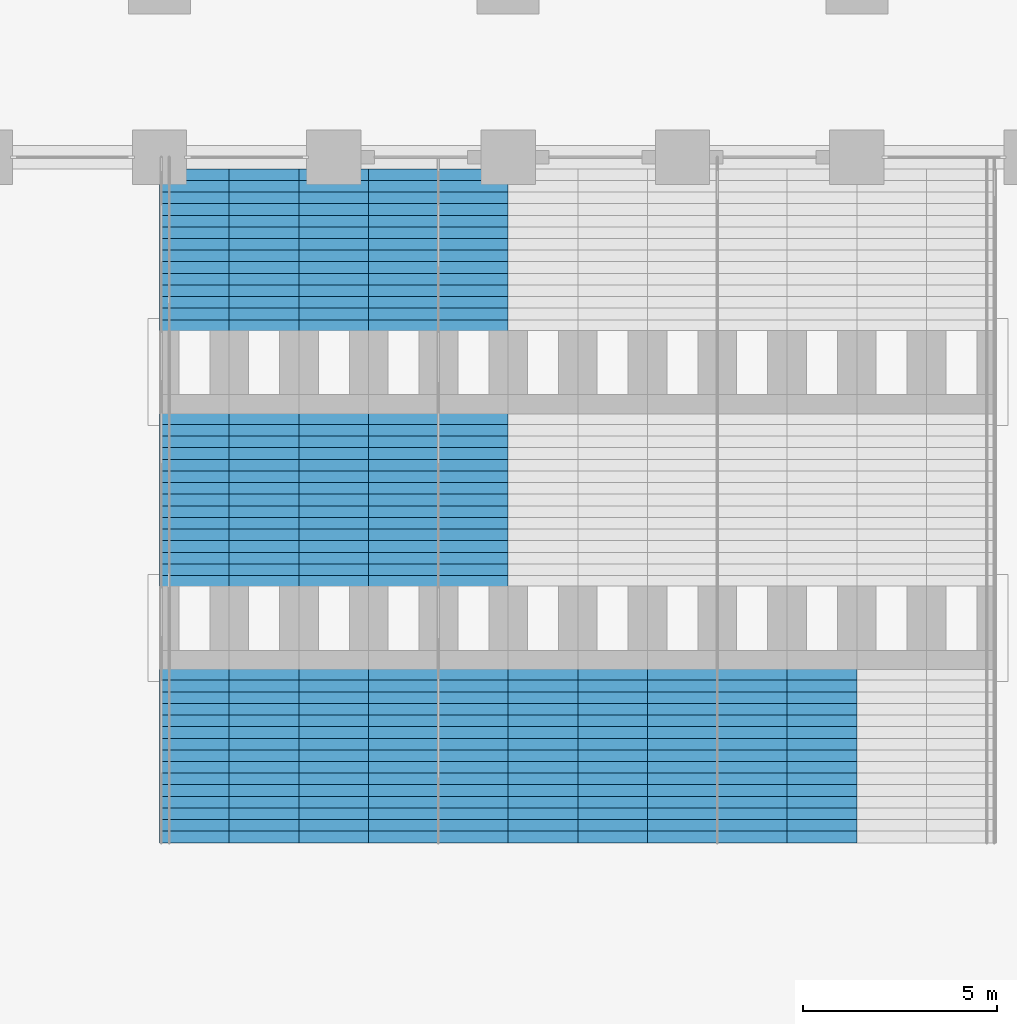
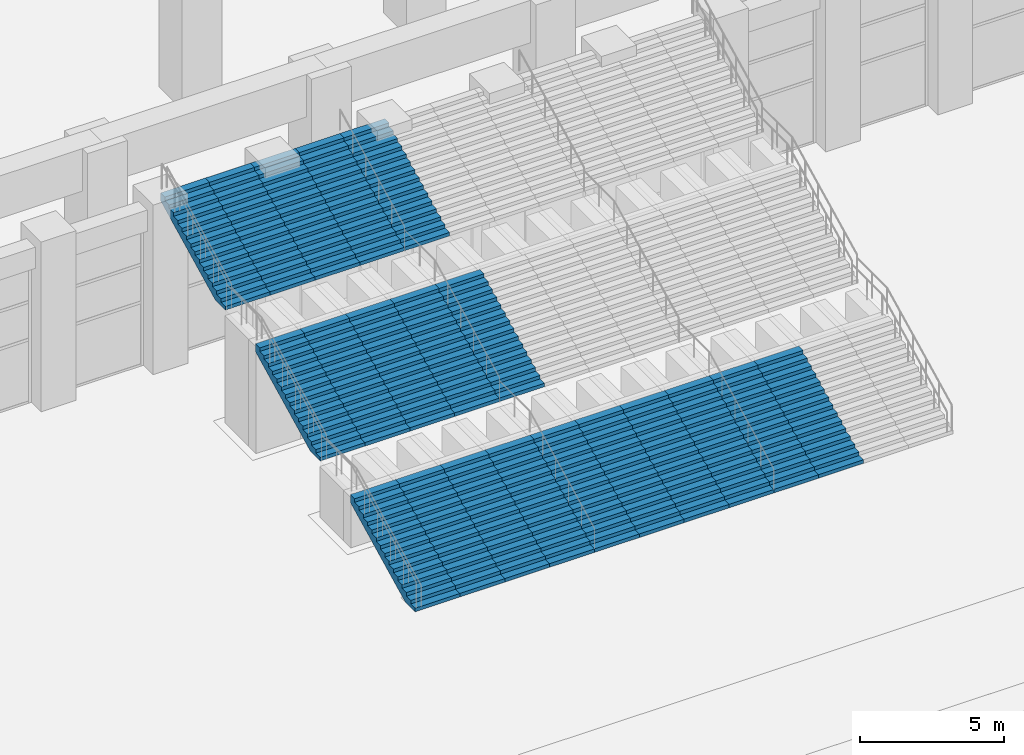
# One storey, part 19 of 30: 20 stair flights, 10 elements without a shape of their own.
"""IFC4 building model written with IfcOpenShell, lengths in metres."""

import ifcopenshell
import ifcopenshell.guid

model = None  # the IFC model being written
_history = None  # IfcOwnerHistory: only IFC2X3 demands one
_inside = {}  # id of a spatial element -> (the spatial element, [elements in it])
_under = {}  # id of a project, library or spatial element -> (it, [spatial elements below it])
_declared = {}  # id of a project -> (the project, [libraries it declares])
_typed = {}  # id of a type object -> (the type object, [elements of that type])
_made_of = {}  # id of a material, layer set ... -> (it, [elements and type objects made of it])


def new_model(schema):
    """Start an empty IFC model of exactly this schema.

    Asked for "IFC4X3", IfcOpenShell would pick the latest addendum, in which some entities
    have other attributes; the version numbers below select the first issue.
    IFC2X3 requires an IfcOwnerHistory on every rooted entity: one is made here for all.
    """
    global model, _history
    if schema == "IFC4X3":
        model = ifcopenshell.file(schema_version=(4, 3, 0, 0))
    else:
        model = ifcopenshell.file(schema=schema)
    _inside.clear()
    _under.clear()
    _declared.clear()
    _typed.clear()
    _made_of.clear()
    _history = None
    if model.schema == "IFC2X3":
        org = make("IfcOrganization", Name="unknown")
        user = make(
            "IfcPersonAndOrganization",
            ThePerson=make("IfcPerson", FamilyName="unknown"),
            TheOrganization=org,
        )
        app = make(
            "IfcApplication",
            ApplicationDeveloper=org,
            Version="unknown",
            ApplicationFullName="unknown",
            ApplicationIdentifier="unknown",
        )
        _history = make(
            "IfcOwnerHistory",
            OwningUser=user,
            OwningApplication=app,
            ChangeAction="ADDED",
            CreationDate=0,
        )
    return model


def make(cls, **values):
    """One entity of the class cls with the attributes given. An attribute that is None is left unset."""
    return model.create_entity(
        cls, **{name: value for name, value in values.items() if value is not None}
    )


def rooted(cls, **values):
    """An entity with a GlobalId (a new one), such as an element, a storey or a relation."""
    return make(cls, GlobalId=ifcopenshell.guid.new(), OwnerHistory=_history, **values)


def si_unit(unit_type, name, prefix=None):
    """IfcSIUnit, for example si_unit("LENGTHUNIT", "METRE", prefix="MILLI")."""
    return make("IfcSIUnit", UnitType=unit_type, Prefix=prefix, Name=name)


def assignment(units):
    """IfcUnitAssignment: the units of a project."""
    return None if units is None else make("IfcUnitAssignment", Units=units)


def point(xyz):
    """IfcCartesianPoint."""
    return None if xyz is None else make("IfcCartesianPoint", Coordinates=xyz)


def direction(xyz):
    """IfcDirection."""
    return None if xyz is None else make("IfcDirection", DirectionRatios=xyz)


def frame(location, z_axis=None, x_axis=None):
    """IfcAxis2Placement3D, a coordinate frame: its origin and axes. An axis left out is left unset."""
    return make(
        "IfcAxis2Placement3D",
        Location=point(location),
        Axis=direction(z_axis),
        RefDirection=direction(x_axis),
    )


def origin():
    """The frame at (0, 0, 0) with its axes left unset."""
    return frame((0.0, 0.0, 0.0))


def place(relative_to, where):
    """IfcLocalPlacement: puts the frame where relative to a parent placement (None: the world)."""
    return make(
        "IfcLocalPlacement", PlacementRelTo=relative_to, RelativePlacement=where
    )


def context(
    kind, dimensions, precision=None, world=None, true_north=None, identifier=None
):
    """IfcGeometricRepresentationContext, for example the 3D "Model" context."""
    return make(
        "IfcGeometricRepresentationContext",
        ContextIdentifier=identifier,
        ContextType=kind,
        CoordinateSpaceDimension=dimensions,
        Precision=precision,
        WorldCoordinateSystem=world,
        TrueNorth=true_north,
    )


def subcontext(parent, identifier, kind, view, scale=None):
    """IfcGeometricRepresentationSubContext, for example "Body" below "Model"."""
    return make(
        "IfcGeometricRepresentationSubContext",
        ContextIdentifier=identifier,
        ContextType=kind,
        ParentContext=parent,
        TargetScale=scale,
        TargetView=view,
    )


def project(units=None, contexts=None):
    """IfcProject with its units and contexts."""
    return rooted(
        "IfcProject",
        Name="project",
        RepresentationContexts=contexts,
        UnitsInContext=assignment(units),
    )


def spatial(cls, under=None, at=None, **own):
    """A site, building, storey or space (cls), placed at a placement, below another one or the project."""
    s = rooted(cls, ObjectPlacement=at, **own)
    if under is not None:
        _under.setdefault(under.id(), (under, []))[1].append(s)
    return s


def polyline(points):
    """IfcPolyline through the points."""
    return make("IfcPolyline", Points=[point(p) for p in points])


def outline(outer, holes=None, kind="AREA"):
    """IfcArbitraryClosedProfileDef: a profile drawn as a closed curve; with holes, ...WithVoids."""
    if holes is None:
        return make("IfcArbitraryClosedProfileDef", ProfileType=kind, OuterCurve=outer)
    return make(
        "IfcArbitraryProfileDefWithVoids",
        ProfileType=kind,
        OuterCurve=outer,
        InnerCurves=holes,
    )


def extrude(swept, where, along, depth):
    """IfcExtrudedAreaSolid: the profile swept, set in the frame where, extruded along a direction by depth."""
    return make(
        "IfcExtrudedAreaSolid",
        SweptArea=swept,
        Position=where,
        ExtrudedDirection=direction(along),
        Depth=depth,
    )


def shape(context_of_items, identifier, shape_type, items):
    """IfcShapeRepresentation: the items that make up one representation, for example the "Body"."""
    return make(
        "IfcShapeRepresentation",
        ContextOfItems=context_of_items,
        RepresentationIdentifier=identifier,
        RepresentationType=shape_type,
        Items=items,
    )


def material(Name=None, Category=None):
    """IfcMaterial."""
    return make("IfcMaterial", Name=Name, Category=Category)


def made_of(thing, what):
    """Note that an element or type object is made of a material, layer set ...; save() writes the relation."""
    if what is not None:
        _made_of.setdefault(what.id(), (what, []))[1].append(thing)
    return thing


def type_object(cls, material=None, **own):
    """A type object (cls), such as IfcWallType, which elements share."""
    return made_of(rooted(cls, **own), material)


def element(
    cls,
    number,
    at=None,
    inside=None,
    cuts=None,
    type_object=None,
    material=None,
    context=None,
    identifier="Body",
    shape_type=None,
    held_by="IfcProductDefinitionShape",
    body=None,
    shapes=None,
    **own,
):
    """One element of the class cls, such as IfcWall. Its Tag is "e" and its number.

    at: its placement. inside: the storey or other place that contains it. cuts: it is an
    opening in that element (IfcRelVoidsElement). A single representation is given by context,
    identifier, shape_type and body (its items); several are given by shapes. held_by: the class
    of the entity that holds the representations. save() writes the other relations.
    """
    e = rooted(cls, Tag="e%d" % number, ObjectPlacement=at, **own)
    if body is not None:
        shapes = [shape(context, identifier, shape_type, body)]
    if shapes is not None:
        e.Representation = make(held_by, Representations=shapes)
    if inside is not None:
        _inside.setdefault(inside.id(), (inside, []))[1].append(e)
    if cuts is not None:
        rooted(
            "IfcRelVoidsElement", RelatingBuildingElement=cuts, RelatedOpeningElement=e
        )
    if type_object is not None:
        _typed.setdefault(type_object.id(), (type_object, []))[1].append(e)
    return made_of(e, material)


def aggregate(whole, parts):
    """IfcRelAggregates: a whole, such as a stair, and the parts it consists of."""
    return rooted("IfcRelAggregates", RelatingObject=whole, RelatedObjects=parts)


def save(model, path):
    """Write the relations noted so far, then the file.

    IfcRelAggregates (storeys below a building ...), IfcRelContainedInSpatialStructure (elements
    in a storey), IfcRelDefinesByType, IfcRelAssociatesMaterial and IfcRelDeclares: one each for
    every whole, place, type object, material and project.
    """
    for whole, parts in _under.values():
        aggregate(whole, parts)
    for where, things in _inside.values():
        rooted(
            "IfcRelContainedInSpatialStructure",
            RelatedElements=things,
            RelatingStructure=where,
        )
    for kind, things in _typed.values():
        rooted("IfcRelDefinesByType", RelatedObjects=things, RelatingType=kind)
    for what, things in _made_of.values():
        rooted("IfcRelAssociatesMaterial", RelatedObjects=things, RelatingMaterial=what)
    for by, libraries in _declared.values():
        rooted("IfcRelDeclares", RelatingContext=by, RelatedDefinitions=libraries)
    model.write(path)


model = new_model("IFC4")

# Units and contexts
model_context = context("Model", 3, precision=1e-05, world=origin(), true_north=direction((0.0, 1.0)))
body_context = subcontext(model_context, "Body", "Model", "MODEL_VIEW")
ifc_project = project(units=[si_unit("LENGTHUNIT", "METRE"), si_unit("AREAUNIT", "SQUARE_METRE"), si_unit("VOLUMEUNIT", "CUBIC_METRE"), si_unit("PLANEANGLEUNIT", "RADIAN"), si_unit("MASSUNIT", "GRAM", prefix="KILO")], contexts=[model_context])

# Site, building, storey
site_placement = place(None, origin())
site = spatial("IfcSite", under=ifc_project, at=site_placement, CompositionType="ELEMENT")
building_placement = place(site_placement, origin())
building = spatial("IfcBuilding", under=site, at=building_placement, Name="Corbel Stack Research Tower", CompositionType="ELEMENT")
storey_placement = place(building_placement, origin())
storey = spatial("IfcBuildingStorey", under=building, at=storey_placement, Name="L00", CompositionType="ELEMENT", Elevation=0.0)

# Stair, stair flights
ifc_material_1 = material(Name="Concrete C40/50", Category="concrete")
stair_type = type_object("IfcStairType", Name="SST1 garden stair", PredefinedType="STRAIGHT_RUN_STAIR", material=ifc_material_1)
stair_1_placement = place(storey_placement, origin())
stair_1 = element("IfcStair", 1, at=stair_1_placement, inside=storey, type_object=stair_type, Name="Garden stair GS1", PredefinedType="STRAIGHT_RUN_STAIR")
ifc_material_2 = material(Name="Concrete C40/50", Category="concrete")
stair_flight_type = type_object("IfcStairFlightType", Name="SST2 garden stair flight", PredefinedType="STRAIGHT", material=ifc_material_2)
stair_flight_1_placement = place(storey_placement, frame((-8.10009765625, -49.199951171875, 0.0), z_axis=(0.0, 0.0, 1.0), x_axis=(0.0, 1.0, 0.0)))
stair_flight_1 = element("IfcStairFlight", 2, at=stair_flight_1_placement, type_object=stair_flight_type, Name="GS1 flight 1", NumberOfRisers=16, NumberOfTreads=15, PredefinedType="STRAIGHT", RiserHeight=0.15, TreadLength=0.3, context=body_context, shape_type="SweptSolid", body=[
    extrude(outline(polyline([(0.0, 0.0), (0.0, 0.14990234375), (0.300048828125, 0.14990234375), (0.300048828125, 0.300048828125), (0.60009765625, 0.300048828125), (0.60009765625, 0.449951171875), (0.89990234375, 0.449951171875), (0.89990234375, 0.60009765625), (1.199951171875, 0.60009765625), (1.199951171875, 0.75), (1.5, 0.75), (1.5, 0.89990234375), (1.800048828125, 0.89990234375), (1.800048828125, 1.050048828125), (2.10009765625, 1.050048828125), (2.10009765625, 1.199951171875), (2.39990234375, 1.199951171875), (2.39990234375, 1.35009765625), (2.699951171875, 1.35009765625), (2.699951171875, 1.5), (3.0, 1.5), (3.0, 1.64990234375), (3.300048828125, 1.64990234375), (3.300048828125, 1.800048828125), (3.60009765625, 1.800048828125), (3.60009765625, 1.949951171875), (3.89990234375, 1.949951171875), (3.89990234375, 2.10009765625), (4.199951171875, 2.10009765625), (4.199951171875, 2.25), (4.5, 2.25), (4.5, 2.39990234375), (4.5, 1.91455078125), (0.6708984375, 0.0), (0.0, 0.0)])), frame((0.0, 0.89990234375, 0.0), z_axis=(0.0, -1.0, 0.0), x_axis=(1.0, 0.0, 0.0)), (0.0, 0.0, 1.0), 1.800048828125),
])
stair_flight_2_placement = place(storey_placement, frame((-8.10009765625, -42.60009765625, 2.39990234375), z_axis=(0.0, 0.0, 1.0), x_axis=(0.0, 1.0, 0.0)))
stair_flight_2 = element("IfcStairFlight", 3, at=stair_flight_2_placement, type_object=stair_flight_type, Name="GS1 flight 2", NumberOfRisers=16, NumberOfTreads=15, PredefinedType="STRAIGHT", RiserHeight=0.15, TreadLength=0.3, context=body_context, shape_type="SweptSolid", body=[
    extrude(outline(polyline([(0.0, 0.0), (0.0, 0.14990234375), (0.300048828125, 0.14990234375), (0.300048828125, 0.300048828125), (0.60009765625, 0.300048828125), (0.60009765625, 0.449951171875), (0.89990234375, 0.449951171875), (0.89990234375, 0.60009765625), (1.199951171875, 0.60009765625), (1.199951171875, 0.75), (1.5, 0.75), (1.5, 0.89990234375), (1.800048828125, 0.89990234375), (1.800048828125, 1.050048828125), (2.10009765625, 1.050048828125), (2.10009765625, 1.199951171875), (2.39990234375, 1.199951171875), (2.39990234375, 1.35009765625), (2.699951171875, 1.35009765625), (2.699951171875, 1.5), (3.0, 1.5), (3.0, 1.64990234375), (3.300048828125, 1.64990234375), (3.300048828125, 1.800048828125), (3.60009765625, 1.800048828125), (3.60009765625, 1.949951171875), (3.89990234375, 1.949951171875), (3.89990234375, 2.10009765625), (4.199951171875, 2.10009765625), (4.199951171875, 2.25), (4.5, 2.25), (4.5, 2.39990234375), (4.5, 1.91455078125), (0.6708984375, 0.0), (0.0, 0.0)])), frame((0.0, 0.89990234375, 0.0), z_axis=(0.0, -1.0, 0.0), x_axis=(1.0, 0.0, 0.0)), (0.0, 0.0, 1.0), 1.800048828125),
])
stair_flight_3_placement = place(storey_placement, frame((-8.10009765625, -36.0, 4.800048828125), z_axis=(0.0, 0.0, 1.0), x_axis=(0.0, 1.0, 0.0)))
stair_flight_3 = element("IfcStairFlight", 4, at=stair_flight_3_placement, type_object=stair_flight_type, Name="GS1 flight 3", NumberOfRisers=16, NumberOfTreads=15, PredefinedType="STRAIGHT", RiserHeight=0.15, TreadLength=0.3, context=body_context, shape_type="SweptSolid", body=[
    extrude(outline(polyline([(0.0, 0.0), (0.0, 0.14990234375), (0.300048828125, 0.14990234375), (0.300048828125, 0.300048828125), (0.60009765625, 0.300048828125), (0.60009765625, 0.449951171875), (0.89990234375, 0.449951171875), (0.89990234375, 0.60009765625), (1.199951171875, 0.60009765625), (1.199951171875, 0.75), (1.5, 0.75), (1.5, 0.89990234375), (1.800048828125, 0.89990234375), (1.800048828125, 1.050048828125), (2.10009765625, 1.050048828125), (2.10009765625, 1.199951171875), (2.39990234375, 1.199951171875), (2.39990234375, 1.35009765625), (2.699951171875, 1.35009765625), (2.699951171875, 1.5), (3.0, 1.5), (3.0, 1.64990234375), (3.300048828125, 1.64990234375), (3.300048828125, 1.800048828125), (3.60009765625, 1.800048828125), (3.60009765625, 1.949951171875), (3.89990234375, 1.949951171875), (3.89990234375, 2.10009765625), (4.199951171875, 2.10009765625), (4.199951171875, 2.25), (4.5, 2.25), (4.5, 2.39990234375), (4.5, 1.91455078125), (0.6708984375, 0.0), (0.0, 0.0)])), frame((0.0, 0.89990234375, 0.0), z_axis=(0.0, -1.0, 0.0), x_axis=(1.0, 0.0, 0.0)), (0.0, 0.0, 1.0), 1.800048828125),
])
aggregate(stair_1, [stair_flight_1, stair_flight_2, stair_flight_3])

stair_2_placement = place(storey_placement, origin())
stair_2 = element("IfcStair", 5, at=stair_2_placement, inside=storey, type_object=stair_type, Name="Garden stair GS2", PredefinedType="STRAIGHT_RUN_STAIR")
stair_flight_4_placement = place(storey_placement, frame((-6.300048828125, -49.199951171875, 0.0), z_axis=(0.0, 0.0, 1.0), x_axis=(0.0, 1.0, 0.0)))
stair_flight_4 = element("IfcStairFlight", 6, at=stair_flight_4_placement, type_object=stair_flight_type, Name="GS2 flight 1", NumberOfRisers=16, NumberOfTreads=15, PredefinedType="STRAIGHT", RiserHeight=0.15, TreadLength=0.3, context=body_context, shape_type="SweptSolid", body=[
    extrude(outline(polyline([(0.0, 0.0), (0.0, 0.14990234375), (0.300048828125, 0.14990234375), (0.300048828125, 0.300048828125), (0.60009765625, 0.300048828125), (0.60009765625, 0.449951171875), (0.89990234375, 0.449951171875), (0.89990234375, 0.60009765625), (1.199951171875, 0.60009765625), (1.199951171875, 0.75), (1.5, 0.75), (1.5, 0.89990234375), (1.800048828125, 0.89990234375), (1.800048828125, 1.050048828125), (2.10009765625, 1.050048828125), (2.10009765625, 1.199951171875), (2.39990234375, 1.199951171875), (2.39990234375, 1.35009765625), (2.699951171875, 1.35009765625), (2.699951171875, 1.5), (3.0, 1.5), (3.0, 1.64990234375), (3.300048828125, 1.64990234375), (3.300048828125, 1.800048828125), (3.60009765625, 1.800048828125), (3.60009765625, 1.949951171875), (3.89990234375, 1.949951171875), (3.89990234375, 2.10009765625), (4.199951171875, 2.10009765625), (4.199951171875, 2.25), (4.5, 2.25), (4.5, 2.39990234375), (4.5, 1.91455078125), (0.6708984375, 0.0), (0.0, 0.0)])), frame((0.0, 0.89990234375, 0.0), z_axis=(0.0, -1.0, 0.0), x_axis=(1.0, 0.0, 0.0)), (0.0, 0.0, 1.0), 1.800048828125),
])
stair_flight_5_placement = place(storey_placement, frame((-6.300048828125, -42.60009765625, 2.39990234375), z_axis=(0.0, 0.0, 1.0), x_axis=(0.0, 1.0, 0.0)))
stair_flight_5 = element("IfcStairFlight", 7, at=stair_flight_5_placement, type_object=stair_flight_type, Name="GS2 flight 2", NumberOfRisers=16, NumberOfTreads=15, PredefinedType="STRAIGHT", RiserHeight=0.15, TreadLength=0.3, context=body_context, shape_type="SweptSolid", body=[
    extrude(outline(polyline([(0.0, 0.0), (0.0, 0.14990234375), (0.300048828125, 0.14990234375), (0.300048828125, 0.300048828125), (0.60009765625, 0.300048828125), (0.60009765625, 0.449951171875), (0.89990234375, 0.449951171875), (0.89990234375, 0.60009765625), (1.199951171875, 0.60009765625), (1.199951171875, 0.75), (1.5, 0.75), (1.5, 0.89990234375), (1.800048828125, 0.89990234375), (1.800048828125, 1.050048828125), (2.10009765625, 1.050048828125), (2.10009765625, 1.199951171875), (2.39990234375, 1.199951171875), (2.39990234375, 1.35009765625), (2.699951171875, 1.35009765625), (2.699951171875, 1.5), (3.0, 1.5), (3.0, 1.64990234375), (3.300048828125, 1.64990234375), (3.300048828125, 1.800048828125), (3.60009765625, 1.800048828125), (3.60009765625, 1.949951171875), (3.89990234375, 1.949951171875), (3.89990234375, 2.10009765625), (4.199951171875, 2.10009765625), (4.199951171875, 2.25), (4.5, 2.25), (4.5, 2.39990234375), (4.5, 1.91455078125), (0.6708984375, 0.0), (0.0, 0.0)])), frame((0.0, 0.89990234375, 0.0), z_axis=(0.0, -1.0, 0.0), x_axis=(1.0, 0.0, 0.0)), (0.0, 0.0, 1.0), 1.800048828125),
])
stair_flight_6_placement = place(storey_placement, frame((-6.300048828125, -36.0, 4.800048828125), z_axis=(0.0, 0.0, 1.0), x_axis=(0.0, 1.0, 0.0)))
stair_flight_6 = element("IfcStairFlight", 8, at=stair_flight_6_placement, type_object=stair_flight_type, Name="GS2 flight 3", NumberOfRisers=16, NumberOfTreads=15, PredefinedType="STRAIGHT", RiserHeight=0.15, TreadLength=0.3, context=body_context, shape_type="SweptSolid", body=[
    extrude(outline(polyline([(0.0, 0.0), (0.0, 0.14990234375), (0.300048828125, 0.14990234375), (0.300048828125, 0.300048828125), (0.60009765625, 0.300048828125), (0.60009765625, 0.449951171875), (0.89990234375, 0.449951171875), (0.89990234375, 0.60009765625), (1.199951171875, 0.60009765625), (1.199951171875, 0.75), (1.5, 0.75), (1.5, 0.89990234375), (1.800048828125, 0.89990234375), (1.800048828125, 1.050048828125), (2.10009765625, 1.050048828125), (2.10009765625, 1.199951171875), (2.39990234375, 1.199951171875), (2.39990234375, 1.35009765625), (2.699951171875, 1.35009765625), (2.699951171875, 1.5), (3.0, 1.5), (3.0, 1.64990234375), (3.300048828125, 1.64990234375), (3.300048828125, 1.800048828125), (3.60009765625, 1.800048828125), (3.60009765625, 1.949951171875), (3.89990234375, 1.949951171875), (3.89990234375, 2.10009765625), (4.199951171875, 2.10009765625), (4.199951171875, 2.25), (4.5, 2.25), (4.5, 2.39990234375), (4.5, 1.91455078125), (0.6708984375, 0.0), (0.0, 0.0)])), frame((0.0, 0.89990234375, 0.0), z_axis=(0.0, -1.0, 0.0), x_axis=(1.0, 0.0, 0.0)), (0.0, 0.0, 1.0), 1.800048828125),
])
aggregate(stair_2, [stair_flight_4, stair_flight_5, stair_flight_6])

stair_3_placement = place(storey_placement, origin())
stair_3 = element("IfcStair", 9, at=stair_3_placement, inside=storey, type_object=stair_type, Name="Garden stair GS3", PredefinedType="STRAIGHT_RUN_STAIR")
stair_flight_7_placement = place(storey_placement, frame((-4.5, -49.199951171875, 0.0), z_axis=(0.0, 0.0, 1.0), x_axis=(0.0, 1.0, 0.0)))
stair_flight_7 = element("IfcStairFlight", 10, at=stair_flight_7_placement, type_object=stair_flight_type, Name="GS3 flight 1", NumberOfRisers=16, NumberOfTreads=15, PredefinedType="STRAIGHT", RiserHeight=0.15, TreadLength=0.3, context=body_context, shape_type="SweptSolid", body=[
    extrude(outline(polyline([(0.0, 0.0), (0.0, 0.14990234375), (0.300048828125, 0.14990234375), (0.300048828125, 0.300048828125), (0.60009765625, 0.300048828125), (0.60009765625, 0.449951171875), (0.89990234375, 0.449951171875), (0.89990234375, 0.60009765625), (1.199951171875, 0.60009765625), (1.199951171875, 0.75), (1.5, 0.75), (1.5, 0.89990234375), (1.800048828125, 0.89990234375), (1.800048828125, 1.050048828125), (2.10009765625, 1.050048828125), (2.10009765625, 1.199951171875), (2.39990234375, 1.199951171875), (2.39990234375, 1.35009765625), (2.699951171875, 1.35009765625), (2.699951171875, 1.5), (3.0, 1.5), (3.0, 1.64990234375), (3.300048828125, 1.64990234375), (3.300048828125, 1.800048828125), (3.60009765625, 1.800048828125), (3.60009765625, 1.949951171875), (3.89990234375, 1.949951171875), (3.89990234375, 2.10009765625), (4.199951171875, 2.10009765625), (4.199951171875, 2.25), (4.5, 2.25), (4.5, 2.39990234375), (4.5, 1.91455078125), (0.6708984375, 0.0), (0.0, 0.0)])), frame((0.0, 0.89990234375, 0.0), z_axis=(0.0, -1.0, 0.0), x_axis=(1.0, 0.0, 0.0)), (0.0, 0.0, 1.0), 1.800048828125),
])
stair_flight_8_placement = place(storey_placement, frame((-4.5, -42.60009765625, 2.39990234375), z_axis=(0.0, 0.0, 1.0), x_axis=(0.0, 1.0, 0.0)))
stair_flight_8 = element("IfcStairFlight", 11, at=stair_flight_8_placement, type_object=stair_flight_type, Name="GS3 flight 2", NumberOfRisers=16, NumberOfTreads=15, PredefinedType="STRAIGHT", RiserHeight=0.15, TreadLength=0.3, context=body_context, shape_type="SweptSolid", body=[
    extrude(outline(polyline([(0.0, 0.0), (0.0, 0.14990234375), (0.300048828125, 0.14990234375), (0.300048828125, 0.300048828125), (0.60009765625, 0.300048828125), (0.60009765625, 0.449951171875), (0.89990234375, 0.449951171875), (0.89990234375, 0.60009765625), (1.199951171875, 0.60009765625), (1.199951171875, 0.75), (1.5, 0.75), (1.5, 0.89990234375), (1.800048828125, 0.89990234375), (1.800048828125, 1.050048828125), (2.10009765625, 1.050048828125), (2.10009765625, 1.199951171875), (2.39990234375, 1.199951171875), (2.39990234375, 1.35009765625), (2.699951171875, 1.35009765625), (2.699951171875, 1.5), (3.0, 1.5), (3.0, 1.64990234375), (3.300048828125, 1.64990234375), (3.300048828125, 1.800048828125), (3.60009765625, 1.800048828125), (3.60009765625, 1.949951171875), (3.89990234375, 1.949951171875), (3.89990234375, 2.10009765625), (4.199951171875, 2.10009765625), (4.199951171875, 2.25), (4.5, 2.25), (4.5, 2.39990234375), (4.5, 1.91455078125), (0.6708984375, 0.0), (0.0, 0.0)])), frame((0.0, 0.89990234375, 0.0), z_axis=(0.0, -1.0, 0.0), x_axis=(1.0, 0.0, 0.0)), (0.0, 0.0, 1.0), 1.800048828125),
])
stair_flight_9_placement = place(storey_placement, frame((-4.5, -36.0, 4.800048828125), z_axis=(0.0, 0.0, 1.0), x_axis=(0.0, 1.0, 0.0)))
stair_flight_9 = element("IfcStairFlight", 12, at=stair_flight_9_placement, type_object=stair_flight_type, Name="GS3 flight 3", NumberOfRisers=16, NumberOfTreads=15, PredefinedType="STRAIGHT", RiserHeight=0.15, TreadLength=0.3, context=body_context, shape_type="SweptSolid", body=[
    extrude(outline(polyline([(0.0, 0.0), (0.0, 0.14990234375), (0.300048828125, 0.14990234375), (0.300048828125, 0.300048828125), (0.60009765625, 0.300048828125), (0.60009765625, 0.449951171875), (0.89990234375, 0.449951171875), (0.89990234375, 0.60009765625), (1.199951171875, 0.60009765625), (1.199951171875, 0.75), (1.5, 0.75), (1.5, 0.89990234375), (1.800048828125, 0.89990234375), (1.800048828125, 1.050048828125), (2.10009765625, 1.050048828125), (2.10009765625, 1.199951171875), (2.39990234375, 1.199951171875), (2.39990234375, 1.35009765625), (2.699951171875, 1.35009765625), (2.699951171875, 1.5), (3.0, 1.5), (3.0, 1.64990234375), (3.300048828125, 1.64990234375), (3.300048828125, 1.800048828125), (3.60009765625, 1.800048828125), (3.60009765625, 1.949951171875), (3.89990234375, 1.949951171875), (3.89990234375, 2.10009765625), (4.199951171875, 2.10009765625), (4.199951171875, 2.25), (4.5, 2.25), (4.5, 2.39990234375), (4.5, 1.91455078125), (0.6708984375, 0.0), (0.0, 0.0)])), frame((0.0, 0.89990234375, 0.0), z_axis=(0.0, -1.0, 0.0), x_axis=(1.0, 0.0, 0.0)), (0.0, 0.0, 1.0), 1.800048828125),
])
aggregate(stair_3, [stair_flight_7, stair_flight_8, stair_flight_9])

stair_4_placement = place(storey_placement, origin())
stair_4 = element("IfcStair", 13, at=stair_4_placement, inside=storey, type_object=stair_type, Name="Garden stair GS4", PredefinedType="STRAIGHT_RUN_STAIR")
stair_flight_10_placement = place(storey_placement, frame((-2.699951171875, -49.199951171875, 0.0), z_axis=(0.0, 0.0, 1.0), x_axis=(0.0, 1.0, 0.0)))
stair_flight_10 = element("IfcStairFlight", 14, at=stair_flight_10_placement, type_object=stair_flight_type, Name="GS4 flight 1", NumberOfRisers=16, NumberOfTreads=15, PredefinedType="STRAIGHT", RiserHeight=0.15, TreadLength=0.3, context=body_context, shape_type="SweptSolid", body=[
    extrude(outline(polyline([(0.0, 0.0), (0.0, 0.14990234375), (0.300048828125, 0.14990234375), (0.300048828125, 0.300048828125), (0.60009765625, 0.300048828125), (0.60009765625, 0.449951171875), (0.89990234375, 0.449951171875), (0.89990234375, 0.60009765625), (1.199951171875, 0.60009765625), (1.199951171875, 0.75), (1.5, 0.75), (1.5, 0.89990234375), (1.800048828125, 0.89990234375), (1.800048828125, 1.050048828125), (2.10009765625, 1.050048828125), (2.10009765625, 1.199951171875), (2.39990234375, 1.199951171875), (2.39990234375, 1.35009765625), (2.699951171875, 1.35009765625), (2.699951171875, 1.5), (3.0, 1.5), (3.0, 1.64990234375), (3.300048828125, 1.64990234375), (3.300048828125, 1.800048828125), (3.60009765625, 1.800048828125), (3.60009765625, 1.949951171875), (3.89990234375, 1.949951171875), (3.89990234375, 2.10009765625), (4.199951171875, 2.10009765625), (4.199951171875, 2.25), (4.5, 2.25), (4.5, 2.39990234375), (4.5, 1.91455078125), (0.6708984375, 0.0), (0.0, 0.0)])), frame((0.0, 0.89990234375, 0.0), z_axis=(0.0, -1.0, 0.0), x_axis=(1.0, 0.0, 0.0)), (0.0, 0.0, 1.0), 1.800048828125),
])
stair_flight_11_placement = place(storey_placement, frame((-2.699951171875, -42.60009765625, 2.39990234375), z_axis=(0.0, 0.0, 1.0), x_axis=(0.0, 1.0, 0.0)))
stair_flight_11 = element("IfcStairFlight", 15, at=stair_flight_11_placement, type_object=stair_flight_type, Name="GS4 flight 2", NumberOfRisers=16, NumberOfTreads=15, PredefinedType="STRAIGHT", RiserHeight=0.15, TreadLength=0.3, context=body_context, shape_type="SweptSolid", body=[
    extrude(outline(polyline([(0.0, 0.0), (0.0, 0.14990234375), (0.300048828125, 0.14990234375), (0.300048828125, 0.300048828125), (0.60009765625, 0.300048828125), (0.60009765625, 0.449951171875), (0.89990234375, 0.449951171875), (0.89990234375, 0.60009765625), (1.199951171875, 0.60009765625), (1.199951171875, 0.75), (1.5, 0.75), (1.5, 0.89990234375), (1.800048828125, 0.89990234375), (1.800048828125, 1.050048828125), (2.10009765625, 1.050048828125), (2.10009765625, 1.199951171875), (2.39990234375, 1.199951171875), (2.39990234375, 1.35009765625), (2.699951171875, 1.35009765625), (2.699951171875, 1.5), (3.0, 1.5), (3.0, 1.64990234375), (3.300048828125, 1.64990234375), (3.300048828125, 1.800048828125), (3.60009765625, 1.800048828125), (3.60009765625, 1.949951171875), (3.89990234375, 1.949951171875), (3.89990234375, 2.10009765625), (4.199951171875, 2.10009765625), (4.199951171875, 2.25), (4.5, 2.25), (4.5, 2.39990234375), (4.5, 1.91455078125), (0.6708984375, 0.0), (0.0, 0.0)])), frame((0.0, 0.89990234375, 0.0), z_axis=(0.0, -1.0, 0.0), x_axis=(1.0, 0.0, 0.0)), (0.0, 0.0, 1.0), 1.800048828125),
])
stair_flight_12_placement = place(storey_placement, frame((-2.699951171875, -36.0, 4.800048828125), z_axis=(0.0, 0.0, 1.0), x_axis=(0.0, 1.0, 0.0)))
stair_flight_12 = element("IfcStairFlight", 16, at=stair_flight_12_placement, type_object=stair_flight_type, Name="GS4 flight 3", NumberOfRisers=16, NumberOfTreads=15, PredefinedType="STRAIGHT", RiserHeight=0.15, TreadLength=0.3, context=body_context, shape_type="SweptSolid", body=[
    extrude(outline(polyline([(0.0, 0.0), (0.0, 0.14990234375), (0.300048828125, 0.14990234375), (0.300048828125, 0.300048828125), (0.60009765625, 0.300048828125), (0.60009765625, 0.449951171875), (0.89990234375, 0.449951171875), (0.89990234375, 0.60009765625), (1.199951171875, 0.60009765625), (1.199951171875, 0.75), (1.5, 0.75), (1.5, 0.89990234375), (1.800048828125, 0.89990234375), (1.800048828125, 1.050048828125), (2.10009765625, 1.050048828125), (2.10009765625, 1.199951171875), (2.39990234375, 1.199951171875), (2.39990234375, 1.35009765625), (2.699951171875, 1.35009765625), (2.699951171875, 1.5), (3.0, 1.5), (3.0, 1.64990234375), (3.300048828125, 1.64990234375), (3.300048828125, 1.800048828125), (3.60009765625, 1.800048828125), (3.60009765625, 1.949951171875), (3.89990234375, 1.949951171875), (3.89990234375, 2.10009765625), (4.199951171875, 2.10009765625), (4.199951171875, 2.25), (4.5, 2.25), (4.5, 2.39990234375), (4.5, 1.91455078125), (0.6708984375, 0.0), (0.0, 0.0)])), frame((0.0, 0.89990234375, 0.0), z_axis=(0.0, -1.0, 0.0), x_axis=(1.0, 0.0, 0.0)), (0.0, 0.0, 1.0), 1.800048828125),
])
aggregate(stair_4, [stair_flight_10, stair_flight_11, stair_flight_12])

stair_5_placement = place(storey_placement, origin())
stair_5 = element("IfcStair", 17, at=stair_5_placement, inside=storey, type_object=stair_type, Name="Garden stair GS5", PredefinedType="STRAIGHT_RUN_STAIR")
stair_flight_13_placement = place(storey_placement, frame((-0.89990234375, -49.199951171875, 0.0), z_axis=(0.0, 0.0, 1.0), x_axis=(0.0, 1.0, 0.0)))
stair_flight_13 = element("IfcStairFlight", 18, at=stair_flight_13_placement, type_object=stair_flight_type, Name="GS5 flight 1", NumberOfRisers=16, NumberOfTreads=15, PredefinedType="STRAIGHT", RiserHeight=0.15, TreadLength=0.3, context=body_context, shape_type="SweptSolid", body=[
    extrude(outline(polyline([(0.0, 0.0), (0.0, 0.14990234375), (0.300048828125, 0.14990234375), (0.300048828125, 0.300048828125), (0.60009765625, 0.300048828125), (0.60009765625, 0.449951171875), (0.89990234375, 0.449951171875), (0.89990234375, 0.60009765625), (1.199951171875, 0.60009765625), (1.199951171875, 0.75), (1.5, 0.75), (1.5, 0.89990234375), (1.800048828125, 0.89990234375), (1.800048828125, 1.050048828125), (2.10009765625, 1.050048828125), (2.10009765625, 1.199951171875), (2.39990234375, 1.199951171875), (2.39990234375, 1.35009765625), (2.699951171875, 1.35009765625), (2.699951171875, 1.5), (3.0, 1.5), (3.0, 1.64990234375), (3.300048828125, 1.64990234375), (3.300048828125, 1.800048828125), (3.60009765625, 1.800048828125), (3.60009765625, 1.949951171875), (3.89990234375, 1.949951171875), (3.89990234375, 2.10009765625), (4.199951171875, 2.10009765625), (4.199951171875, 2.25), (4.5, 2.25), (4.5, 2.39990234375), (4.5, 1.91455078125), (0.6708984375, 0.0), (0.0, 0.0)])), frame((0.0, 0.89990234375, 0.0), z_axis=(0.0, -1.0, 0.0), x_axis=(1.0, 0.0, 0.0)), (0.0, 0.0, 1.0), 1.800048828125),
])
stair_flight_14_placement = place(storey_placement, frame((-0.89990234375, -42.60009765625, 2.39990234375), z_axis=(0.0, 0.0, 1.0), x_axis=(0.0, 1.0, 0.0)))
stair_flight_14 = element("IfcStairFlight", 19, at=stair_flight_14_placement, type_object=stair_flight_type, Name="GS5 flight 2", NumberOfRisers=16, NumberOfTreads=15, PredefinedType="STRAIGHT", RiserHeight=0.15, TreadLength=0.3, context=body_context, shape_type="SweptSolid", body=[
    extrude(outline(polyline([(0.0, 0.0), (0.0, 0.14990234375), (0.300048828125, 0.14990234375), (0.300048828125, 0.300048828125), (0.60009765625, 0.300048828125), (0.60009765625, 0.449951171875), (0.89990234375, 0.449951171875), (0.89990234375, 0.60009765625), (1.199951171875, 0.60009765625), (1.199951171875, 0.75), (1.5, 0.75), (1.5, 0.89990234375), (1.800048828125, 0.89990234375), (1.800048828125, 1.050048828125), (2.10009765625, 1.050048828125), (2.10009765625, 1.199951171875), (2.39990234375, 1.199951171875), (2.39990234375, 1.35009765625), (2.699951171875, 1.35009765625), (2.699951171875, 1.5), (3.0, 1.5), (3.0, 1.64990234375), (3.300048828125, 1.64990234375), (3.300048828125, 1.800048828125), (3.60009765625, 1.800048828125), (3.60009765625, 1.949951171875), (3.89990234375, 1.949951171875), (3.89990234375, 2.10009765625), (4.199951171875, 2.10009765625), (4.199951171875, 2.25), (4.5, 2.25), (4.5, 2.39990234375), (4.5, 1.91455078125), (0.6708984375, 0.0), (0.0, 0.0)])), frame((0.0, 0.89990234375, 0.0), z_axis=(0.0, -1.0, 0.0), x_axis=(1.0, 0.0, 0.0)), (0.0, 0.0, 1.0), 1.800048828125),
])
stair_flight_15_placement = place(storey_placement, frame((-0.89990234375, -36.0, 4.800048828125), z_axis=(0.0, 0.0, 1.0), x_axis=(0.0, 1.0, 0.0)))
stair_flight_15 = element("IfcStairFlight", 20, at=stair_flight_15_placement, type_object=stair_flight_type, Name="GS5 flight 3", NumberOfRisers=16, NumberOfTreads=15, PredefinedType="STRAIGHT", RiserHeight=0.15, TreadLength=0.3, context=body_context, shape_type="SweptSolid", body=[
    extrude(outline(polyline([(0.0, 0.0), (0.0, 0.14990234375), (0.300048828125, 0.14990234375), (0.300048828125, 0.300048828125), (0.60009765625, 0.300048828125), (0.60009765625, 0.449951171875), (0.89990234375, 0.449951171875), (0.89990234375, 0.60009765625), (1.199951171875, 0.60009765625), (1.199951171875, 0.75), (1.5, 0.75), (1.5, 0.89990234375), (1.800048828125, 0.89990234375), (1.800048828125, 1.050048828125), (2.10009765625, 1.050048828125), (2.10009765625, 1.199951171875), (2.39990234375, 1.199951171875), (2.39990234375, 1.35009765625), (2.699951171875, 1.35009765625), (2.699951171875, 1.5), (3.0, 1.5), (3.0, 1.64990234375), (3.300048828125, 1.64990234375), (3.300048828125, 1.800048828125), (3.60009765625, 1.800048828125), (3.60009765625, 1.949951171875), (3.89990234375, 1.949951171875), (3.89990234375, 2.10009765625), (4.199951171875, 2.10009765625), (4.199951171875, 2.25), (4.5, 2.25), (4.5, 2.39990234375), (4.5, 1.91455078125), (0.6708984375, 0.0), (0.0, 0.0)])), frame((0.0, 0.89990234375, 0.0), z_axis=(0.0, -1.0, 0.0), x_axis=(1.0, 0.0, 0.0)), (0.0, 0.0, 1.0), 1.800048828125),
])
aggregate(stair_5, [stair_flight_13, stair_flight_14, stair_flight_15])

# Stair, stair flight
stair_6_placement = place(storey_placement, origin())
stair_6 = element("IfcStair", 21, at=stair_6_placement, inside=storey, type_object=stair_type, Name="Garden stair GS6", PredefinedType="STRAIGHT_RUN_STAIR")
stair_flight_16_placement = place(storey_placement, frame((0.89990234375, -49.199951171875, 0.0), z_axis=(0.0, 0.0, 1.0), x_axis=(0.0, 1.0, 0.0)))
stair_flight_16 = element("IfcStairFlight", 22, at=stair_flight_16_placement, type_object=stair_flight_type, Name="GS6 flight 1", NumberOfRisers=16, NumberOfTreads=15, PredefinedType="STRAIGHT", RiserHeight=0.15, TreadLength=0.3, context=body_context, shape_type="SweptSolid", body=[
    extrude(outline(polyline([(0.0, 0.0), (0.0, 0.14990234375), (0.300048828125, 0.14990234375), (0.300048828125, 0.300048828125), (0.60009765625, 0.300048828125), (0.60009765625, 0.449951171875), (0.89990234375, 0.449951171875), (0.89990234375, 0.60009765625), (1.199951171875, 0.60009765625), (1.199951171875, 0.75), (1.5, 0.75), (1.5, 0.89990234375), (1.800048828125, 0.89990234375), (1.800048828125, 1.050048828125), (2.10009765625, 1.050048828125), (2.10009765625, 1.199951171875), (2.39990234375, 1.199951171875), (2.39990234375, 1.35009765625), (2.699951171875, 1.35009765625), (2.699951171875, 1.5), (3.0, 1.5), (3.0, 1.64990234375), (3.300048828125, 1.64990234375), (3.300048828125, 1.800048828125), (3.60009765625, 1.800048828125), (3.60009765625, 1.949951171875), (3.89990234375, 1.949951171875), (3.89990234375, 2.10009765625), (4.199951171875, 2.10009765625), (4.199951171875, 2.25), (4.5, 2.25), (4.5, 2.39990234375), (4.5, 1.91455078125), (0.6708984375, 0.0), (0.0, 0.0)])), frame((0.0, 0.89990234375, 0.0), z_axis=(0.0, -1.0, 0.0), x_axis=(1.0, 0.0, 0.0)), (0.0, 0.0, 1.0), 1.800048828125),
])
aggregate(stair_6, [stair_flight_16])

stair_7_placement = place(storey_placement, origin())
stair_7 = element("IfcStair", 23, at=stair_7_placement, inside=storey, type_object=stair_type, Name="Garden stair GS7", PredefinedType="STRAIGHT_RUN_STAIR")
stair_flight_17_placement = place(storey_placement, frame((2.699951171875, -49.199951171875, 0.0), z_axis=(0.0, 0.0, 1.0), x_axis=(0.0, 1.0, 0.0)))
stair_flight_17 = element("IfcStairFlight", 24, at=stair_flight_17_placement, type_object=stair_flight_type, Name="GS7 flight 1", NumberOfRisers=16, NumberOfTreads=15, PredefinedType="STRAIGHT", RiserHeight=0.15, TreadLength=0.3, context=body_context, shape_type="SweptSolid", body=[
    extrude(outline(polyline([(0.0, 0.0), (0.0, 0.14990234375), (0.300048828125, 0.14990234375), (0.300048828125, 0.300048828125), (0.60009765625, 0.300048828125), (0.60009765625, 0.449951171875), (0.89990234375, 0.449951171875), (0.89990234375, 0.60009765625), (1.199951171875, 0.60009765625), (1.199951171875, 0.75), (1.5, 0.75), (1.5, 0.89990234375), (1.800048828125, 0.89990234375), (1.800048828125, 1.050048828125), (2.10009765625, 1.050048828125), (2.10009765625, 1.199951171875), (2.39990234375, 1.199951171875), (2.39990234375, 1.35009765625), (2.699951171875, 1.35009765625), (2.699951171875, 1.5), (3.0, 1.5), (3.0, 1.64990234375), (3.300048828125, 1.64990234375), (3.300048828125, 1.800048828125), (3.60009765625, 1.800048828125), (3.60009765625, 1.949951171875), (3.89990234375, 1.949951171875), (3.89990234375, 2.10009765625), (4.199951171875, 2.10009765625), (4.199951171875, 2.25), (4.5, 2.25), (4.5, 2.39990234375), (4.5, 1.91455078125), (0.6708984375, 0.0), (0.0, 0.0)])), frame((0.0, 0.89990234375, 0.0), z_axis=(0.0, -1.0, 0.0), x_axis=(1.0, 0.0, 0.0)), (0.0, 0.0, 1.0), 1.800048828125),
])
aggregate(stair_7, [stair_flight_17])

stair_8_placement = place(storey_placement, origin())
stair_8 = element("IfcStair", 25, at=stair_8_placement, inside=storey, type_object=stair_type, Name="Garden stair GS8", PredefinedType="STRAIGHT_RUN_STAIR")
stair_flight_18_placement = place(storey_placement, frame((4.5, -49.199951171875, 0.0), z_axis=(0.0, 0.0, 1.0), x_axis=(0.0, 1.0, 0.0)))
stair_flight_18 = element("IfcStairFlight", 26, at=stair_flight_18_placement, type_object=stair_flight_type, Name="GS8 flight 1", NumberOfRisers=16, NumberOfTreads=15, PredefinedType="STRAIGHT", RiserHeight=0.15, TreadLength=0.3, context=body_context, shape_type="SweptSolid", body=[
    extrude(outline(polyline([(0.0, 0.0), (0.0, 0.14990234375), (0.300048828125, 0.14990234375), (0.300048828125, 0.300048828125), (0.60009765625, 0.300048828125), (0.60009765625, 0.449951171875), (0.89990234375, 0.449951171875), (0.89990234375, 0.60009765625), (1.199951171875, 0.60009765625), (1.199951171875, 0.75), (1.5, 0.75), (1.5, 0.89990234375), (1.800048828125, 0.89990234375), (1.800048828125, 1.050048828125), (2.10009765625, 1.050048828125), (2.10009765625, 1.199951171875), (2.39990234375, 1.199951171875), (2.39990234375, 1.35009765625), (2.699951171875, 1.35009765625), (2.699951171875, 1.5), (3.0, 1.5), (3.0, 1.64990234375), (3.300048828125, 1.64990234375), (3.300048828125, 1.800048828125), (3.60009765625, 1.800048828125), (3.60009765625, 1.949951171875), (3.89990234375, 1.949951171875), (3.89990234375, 2.10009765625), (4.199951171875, 2.10009765625), (4.199951171875, 2.25), (4.5, 2.25), (4.5, 2.39990234375), (4.5, 1.91455078125), (0.6708984375, 0.0), (0.0, 0.0)])), frame((0.0, 0.89990234375, 0.0), z_axis=(0.0, -1.0, 0.0), x_axis=(1.0, 0.0, 0.0)), (0.0, 0.0, 1.0), 1.800048828125),
])
aggregate(stair_8, [stair_flight_18])

stair_9_placement = place(storey_placement, origin())
stair_9 = element("IfcStair", 27, at=stair_9_placement, inside=storey, type_object=stair_type, Name="Garden stair GS9", PredefinedType="STRAIGHT_RUN_STAIR")
stair_flight_19_placement = place(storey_placement, frame((6.300048828125, -49.199951171875, 0.0), z_axis=(0.0, 0.0, 1.0), x_axis=(0.0, 1.0, 0.0)))
stair_flight_19 = element("IfcStairFlight", 28, at=stair_flight_19_placement, type_object=stair_flight_type, Name="GS9 flight 1", NumberOfRisers=16, NumberOfTreads=15, PredefinedType="STRAIGHT", RiserHeight=0.15, TreadLength=0.3, context=body_context, shape_type="SweptSolid", body=[
    extrude(outline(polyline([(0.0, 0.0), (0.0, 0.14990234375), (0.300048828125, 0.14990234375), (0.300048828125, 0.300048828125), (0.60009765625, 0.300048828125), (0.60009765625, 0.449951171875), (0.89990234375, 0.449951171875), (0.89990234375, 0.60009765625), (1.199951171875, 0.60009765625), (1.199951171875, 0.75), (1.5, 0.75), (1.5, 0.89990234375), (1.800048828125, 0.89990234375), (1.800048828125, 1.050048828125), (2.10009765625, 1.050048828125), (2.10009765625, 1.199951171875), (2.39990234375, 1.199951171875), (2.39990234375, 1.35009765625), (2.699951171875, 1.35009765625), (2.699951171875, 1.5), (3.0, 1.5), (3.0, 1.64990234375), (3.300048828125, 1.64990234375), (3.300048828125, 1.800048828125), (3.60009765625, 1.800048828125), (3.60009765625, 1.949951171875), (3.89990234375, 1.949951171875), (3.89990234375, 2.10009765625), (4.199951171875, 2.10009765625), (4.199951171875, 2.25), (4.5, 2.25), (4.5, 2.39990234375), (4.5, 1.91455078125), (0.6708984375, 0.0), (0.0, 0.0)])), frame((0.0, 0.89990234375, 0.0), z_axis=(0.0, -1.0, 0.0), x_axis=(1.0, 0.0, 0.0)), (0.0, 0.0, 1.0), 1.800048828125),
])
aggregate(stair_9, [stair_flight_19])

stair_10_placement = place(storey_placement, origin())
stair_10 = element("IfcStair", 29, at=stair_10_placement, inside=storey, type_object=stair_type, Name="Garden stair GS10", PredefinedType="STRAIGHT_RUN_STAIR")
stair_flight_20_placement = place(storey_placement, frame((8.10009765625, -49.199951171875, 0.0), z_axis=(0.0, 0.0, 1.0), x_axis=(0.0, 1.0, 0.0)))
stair_flight_20 = element("IfcStairFlight", 30, at=stair_flight_20_placement, type_object=stair_flight_type, Name="GS10 flight 1", NumberOfRisers=16, NumberOfTreads=15, PredefinedType="STRAIGHT", RiserHeight=0.15, TreadLength=0.3, context=body_context, shape_type="SweptSolid", body=[
    extrude(outline(polyline([(0.0, 0.0), (0.0, 0.14990234375), (0.300048828125, 0.14990234375), (0.300048828125, 0.300048828125), (0.60009765625, 0.300048828125), (0.60009765625, 0.449951171875), (0.89990234375, 0.449951171875), (0.89990234375, 0.60009765625), (1.199951171875, 0.60009765625), (1.199951171875, 0.75), (1.5, 0.75), (1.5, 0.89990234375), (1.800048828125, 0.89990234375), (1.800048828125, 1.050048828125), (2.10009765625, 1.050048828125), (2.10009765625, 1.199951171875), (2.39990234375, 1.199951171875), (2.39990234375, 1.35009765625), (2.699951171875, 1.35009765625), (2.699951171875, 1.5), (3.0, 1.5), (3.0, 1.64990234375), (3.300048828125, 1.64990234375), (3.300048828125, 1.800048828125), (3.60009765625, 1.800048828125), (3.60009765625, 1.949951171875), (3.89990234375, 1.949951171875), (3.89990234375, 2.10009765625), (4.199951171875, 2.10009765625), (4.199951171875, 2.25), (4.5, 2.25), (4.5, 2.39990234375), (4.5, 1.91455078125), (0.6708984375, 0.0), (0.0, 0.0)])), frame((0.0, 0.89990234375, 0.0), z_axis=(0.0, -1.0, 0.0), x_axis=(1.0, 0.0, 0.0)), (0.0, 0.0, 1.0), 1.800048828125),
])
aggregate(stair_10, [stair_flight_20])

save(model, "model.ifc")
